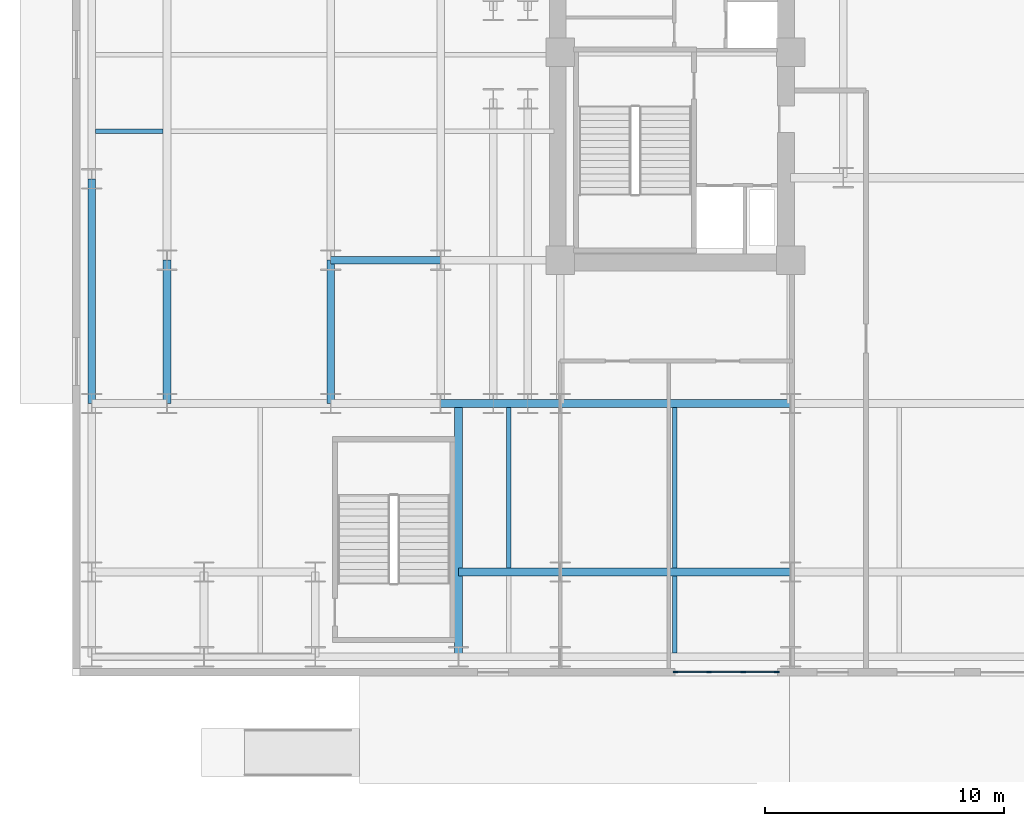
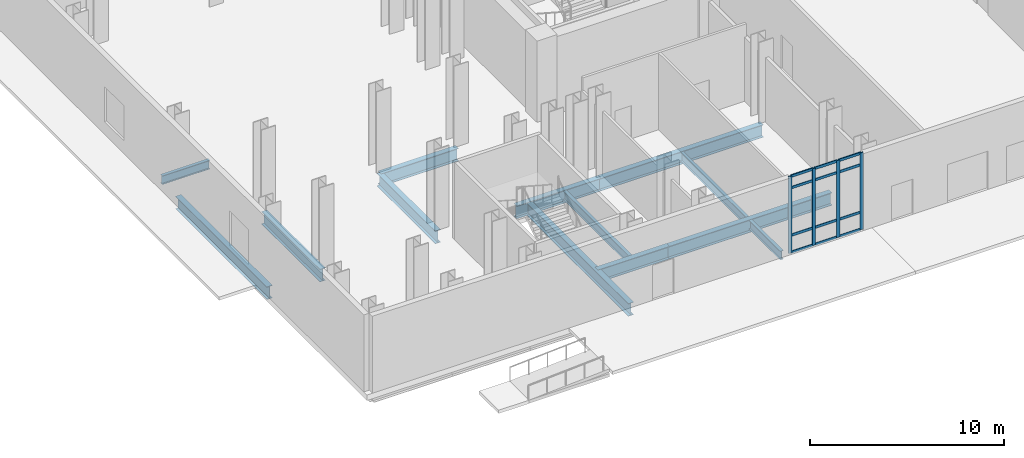
# One storey, part 2 of 21: 16 members, 13 beams, 1 element without a shape of its own.
"""IFC4 building model written with IfcOpenShell, lengths in metres."""

from ifc_helpers import new_model, si_unit, direction, frame, origin, origin_2d, place, context, subcontext, project, spatial, rectangle, i_section, extrude, material, layer, layer_set, material_profile, profile_set, type_object, element, aggregate, save


model = new_model("IFC4")

# Units and contexts
model_context = context("Model", 3, precision=1e-05, world=origin(), true_north=direction((0.0, 1.0)))
body_context = subcontext(model_context, "Body", "Model", "MODEL_VIEW")
ifc_project = project(units=[si_unit("LENGTHUNIT", "METRE"), si_unit("AREAUNIT", "SQUARE_METRE"), si_unit("VOLUMEUNIT", "CUBIC_METRE"), si_unit("PLANEANGLEUNIT", "RADIAN"), si_unit("MASSUNIT", "GRAM", prefix="KILO")], contexts=[model_context])

# Site, building, storey
site_placement = place(None, origin())
site = spatial("IfcSite", under=ifc_project, at=site_placement, CompositionType="ELEMENT")
building_placement = place(site_placement, origin())
building = spatial("IfcBuilding", under=site, at=building_placement, Name="Velakula Bourse", CompositionType="ELEMENT")
storey_placement = place(building_placement, origin())
storey = spatial("IfcBuildingStorey", under=building, at=storey_placement, Name="L00", CompositionType="ELEMENT", Elevation=0.0)

# Beams
ifc_material_1 = material(Name="Steel IS 2062 Grade 350 (E350)", Category="steel")
ifc_material_profile_1 = material_profile(ifc_material_1, i_section(OverallWidth=0.320068359375, OverallDepth=0.800048828125, WebThickness=0.01806640625, FlangeThickness=0.028076171875, at=origin_2d()), Name="Steel IS 2062 Grade 350 (E350)")
ifc_profile_set_1 = profile_set([ifc_material_profile_1], Name="Steel IS 2062 Grade 350 (E350)")
beam_type_1 = type_object("IfcBeamType", Name="BM-POD-800", PredefinedType="BEAM", material=ifc_profile_set_1)
beam_1_placement = place(storey_placement, frame((-18.60009765625, -14.60009765625, -0.75), z_axis=(1.0, 0.0, 0.0), x_axis=(0.0, 1.0, 0.0)))
element("IfcBeam", 1, at=beam_1_placement, inside=storey, type_object=beam_type_1, Name="L00 Fulcrum Grid Girder FLC-S1", PredefinedType="BEAM", context=body_context, shape_type="SweptSolid", body=[
    extrude(i_section(OverallWidth=0.320068359375, OverallDepth=0.800048828125, WebThickness=0.01806640625, FlangeThickness=0.028076171875, at=origin_2d()), origin(), (0.0, 0.0, 1.0), 9.650146484375),
])
beam_2_placement = place(storey_placement, frame((-23.60009765625, -14.60009765625, -0.75), z_axis=(1.0, 0.0, 0.0), x_axis=(0.0, 1.0, 0.0)))
element("IfcBeam", 2, at=beam_2_placement, inside=storey, type_object=beam_type_1, Name="L00 Fulcrum Grid Girder MWG-WS1", PredefinedType="BEAM", context=body_context, shape_type="SweptSolid", body=[
    extrude(i_section(OverallWidth=0.320068359375, OverallDepth=0.800048828125, WebThickness=0.01806640625, FlangeThickness=0.028076171875, at=origin_2d()), origin(), (0.0, 0.0, 1.0), 5.0),
])
beam_3_placement = place(storey_placement, frame((-28.199951171875, -8.60009765625, -0.75), z_axis=(1.0, 0.0, 0.0), x_axis=(0.0, 1.0, 0.0)))
element("IfcBeam", 3, at=beam_3_placement, inside=storey, type_object=beam_type_1, Name="L00 Fulcrum Grid Girder WNG-WS2", PredefinedType="BEAM", context=body_context, shape_type="SweptSolid", body=[
    extrude(i_section(OverallWidth=0.320068359375, OverallDepth=0.800048828125, WebThickness=0.01806640625, FlangeThickness=0.028076171875, at=origin_2d()), origin(), (0.0, 0.0, 1.0), 4.599853515625),
])
beam_4_placement = place(storey_placement, frame((-28.199951171875, -14.60009765625, -0.75), z_axis=(0.0, 1.0, 0.0), x_axis=(-1.0, 0.0, 0.0)))
element("IfcBeam", 4, at=beam_4_placement, inside=storey, type_object=beam_type_1, Name="L00 Fulcrum Grid Girder WNG-WNS1", PredefinedType="BEAM", context=body_context, shape_type="SweptSolid", body=[
    extrude(i_section(OverallWidth=0.320068359375, OverallDepth=0.800048828125, WebThickness=0.01806640625, FlangeThickness=0.028076171875, at=origin_2d()), origin(), (0.0, 0.0, 1.0), 6.0),
])
beam_5_placement = place(storey_placement, frame((-22.85009765625, -25.199951171875, -0.75), z_axis=(0.0, 1.0, 0.0), x_axis=(-1.0, 0.0, 0.0)))
element("IfcBeam", 5, at=beam_5_placement, inside=storey, type_object=beam_type_1, Name="L00 Podium Stairwell Header Girder STW", PredefinedType="BEAM", context=body_context, shape_type="SweptSolid", body=[
    extrude(i_section(OverallWidth=0.320068359375, OverallDepth=0.800048828125, WebThickness=0.01806640625, FlangeThickness=0.028076171875, at=origin_2d()), origin(), (0.0, 0.0, 1.0), 10.599853515625),
])
beam_6_placement = place(storey_placement, frame((-22.85009765625, -21.64990234375, -0.75), z_axis=(1.0, 0.0, 0.0), x_axis=(0.0, 1.0, 0.0)))
element("IfcBeam", 6, at=beam_6_placement, inside=storey, type_object=beam_type_1, Name="L00 Podium E-W Girder 14", PredefinedType="BEAM", context=body_context, shape_type="SweptSolid", body=[
    extrude(i_section(OverallWidth=0.320068359375, OverallDepth=0.800048828125, WebThickness=0.01806640625, FlangeThickness=0.028076171875, at=origin_2d()), origin(), (0.0, 0.0, 1.0), 4.25),
])
beam_7_placement = place(storey_placement, frame((-18.60009765625, -21.64990234375, -0.75), z_axis=(1.0, 0.0, 0.0), x_axis=(0.0, 1.0, 0.0)))
element("IfcBeam", 7, at=beam_7_placement, inside=storey, type_object=beam_type_1, Name="L00 Podium E-W Girder 15", PredefinedType="BEAM", context=body_context, shape_type="SweptSolid", body=[
    extrude(i_section(OverallWidth=0.320068359375, OverallDepth=0.800048828125, WebThickness=0.01806640625, FlangeThickness=0.028076171875, at=origin_2d()), origin(), (0.0, 0.0, 1.0), 9.650146484375),
])
beam_8_placement = place(storey_placement, frame((-38.199951171875, -14.60009765625, -0.75), z_axis=(0.0, 1.0, 0.0), x_axis=(-1.0, 0.0, 0.0)))
element("IfcBeam", 8, at=beam_8_placement, inside=storey, type_object=beam_type_1, Name="L00 Podium N-S Girder 67", PredefinedType="BEAM", context=body_context, shape_type="SweptSolid", body=[
    extrude(i_section(OverallWidth=0.320068359375, OverallDepth=0.800048828125, WebThickness=0.01806640625, FlangeThickness=0.028076171875, at=origin_2d()), origin(), (0.0, 0.0, 1.0), 9.400146484375),
])
beam_9_placement = place(storey_placement, frame((-35.050048828125, -14.60009765625, -0.75), z_axis=(0.0, 1.0, 0.0), x_axis=(-1.0, 0.0, 0.0)))
element("IfcBeam", 9, at=beam_9_placement, inside=storey, type_object=beam_type_1, Name="L00 Podium N-S Girder 72", PredefinedType="BEAM", context=body_context, shape_type="SweptSolid", body=[
    extrude(i_section(OverallWidth=0.320068359375, OverallDepth=0.800048828125, WebThickness=0.01806640625, FlangeThickness=0.028076171875, at=origin_2d()), origin(), (0.0, 0.0, 1.0), 6.0),
])
ifc_material_profile_2 = material_profile(ifc_material_1, i_section(OverallWidth=0.18994140625, OverallDepth=0.550048828125, WebThickness=0.01123046875, FlangeThickness=0.019287109375, at=origin_2d()), Name="Steel IS 2062 Grade 350 (E350)")
ifc_profile_set_2 = profile_set([ifc_material_profile_2], Name="Steel IS 2062 Grade 350 (E350)")
beam_type_2 = type_object("IfcBeamType", Name="JST-POD-550", PredefinedType="JOIST", material=ifc_profile_set_2)
beam_10_placement = place(storey_placement, frame((-20.75, -21.489990234375, -0.625), z_axis=(0.0, 1.0, 0.0), x_axis=(-1.0, 0.0, 0.0)))
element("IfcBeam", 10, at=beam_10_placement, inside=storey, type_object=beam_type_2, Name="L00 Station Podium Floor Joist 06", PredefinedType="JOIST", context=body_context, shape_type="SweptSolid", body=[
    extrude(i_section(OverallWidth=0.18994140625, OverallDepth=0.550048828125, WebThickness=0.01123046875, FlangeThickness=0.019287109375, at=origin_2d()), origin(), (0.0, 0.0, 1.0), 6.72998046875),
])
beam_11_placement = place(storey_placement, frame((-13.800048828125, -25.0400390625, -0.625), z_axis=(0.0, 1.0, 0.0), x_axis=(-1.0, 0.0, 0.0)))
element("IfcBeam", 11, at=beam_11_placement, inside=storey, type_object=beam_type_2, Name="L00 Station Podium Floor Joist 09", PredefinedType="JOIST", context=body_context, shape_type="SweptSolid", body=[
    extrude(i_section(OverallWidth=0.18994140625, OverallDepth=0.550048828125, WebThickness=0.01123046875, FlangeThickness=0.019287109375, at=origin_2d()), origin(), (0.0, 0.0, 1.0), 3.22998046875),
])
beam_12_placement = place(storey_placement, frame((-13.800048828125, -21.489990234375, -0.625), z_axis=(0.0, 1.0, 0.0), x_axis=(-1.0, 0.0, 0.0)))
element("IfcBeam", 12, at=beam_12_placement, inside=storey, type_object=beam_type_2, Name="L00 Station Podium Floor Joist 10", PredefinedType="JOIST", context=body_context, shape_type="SweptSolid", body=[
    extrude(i_section(OverallWidth=0.18994140625, OverallDepth=0.550048828125, WebThickness=0.01123046875, FlangeThickness=0.019287109375, at=origin_2d()), origin(), (0.0, 0.0, 1.0), 6.72998046875),
])
beam_13_placement = place(storey_placement, frame((-38.0400390625, -3.199951171875, -0.625), z_axis=(1.0, 0.0, 0.0), x_axis=(0.0, 1.0, 0.0)))
element("IfcBeam", 13, at=beam_13_placement, inside=storey, type_object=beam_type_2, Name="L00 Station Wing Floor Joist 33", PredefinedType="JOIST", context=body_context, shape_type="SweptSolid", body=[
    extrude(i_section(OverallWidth=0.18994140625, OverallDepth=0.550048828125, WebThickness=0.01123046875, FlangeThickness=0.019287109375, at=origin_2d()), origin(), (0.0, 0.0, 1.0), 2.830078125),
])

# Curtain wall, members
ifc_material_2 = material(Name="Anodised bronze architectural aluminium", Category="aluminium")
ifc_layer = layer(ifc_material_2, 0.199951171875, Name="Anodised bronze architectural aluminium", Category="aluminium")
ifc_layer_set = layer_set([ifc_layer], Name="Anodised bronze architectural aluminium")
curtain_wall_type = type_object("IfcCurtainWallType", Name="CW-ST1", PredefinedType="NOTDEFINED", material=ifc_layer_set)
curtain_wall_placement = place(storey_placement, origin())
curtain_wall = element("IfcCurtainWall", 14, at=curtain_wall_placement, inside=storey, type_object=curtain_wall_type, Name="L00 South Station Galleria Curtain Wall 4", PredefinedType="NOTDEFINED")
ifc_material_profile_3 = material_profile(ifc_material_2, rectangle(XDim=0.06005859375, YDim=0.199951171875, at=origin_2d()), Name="Anodised bronze architectural aluminium")
ifc_profile_set_3 = profile_set([ifc_material_profile_3], Name="Anodised bronze architectural aluminium")
member_type_1 = type_object("IfcMemberType", Name="MUL-CW-ST1", PredefinedType="MULLION", material=ifc_profile_set_3)
member_1_placement = place(storey_placement, frame((-9.530029296875, -25.840087890625, 0.0), z_axis=(0.0, 0.0, 1.0), x_axis=(0.0, -1.0, 0.0)))
member_1 = element("IfcMember", 15, at=member_1_placement, type_object=member_type_1, Name="CW-ST1 mullion 1", PredefinedType="MULLION", context=body_context, shape_type="SweptSolid", body=[
    extrude(rectangle(XDim=0.06005859375, YDim=0.199951171875, at=origin_2d()), origin(), (0.0, 0.0, 1.0), 4.830078125),
])
member_2_placement = place(storey_placement, frame((-10.933349609375, -25.840087890625, 0.0), z_axis=(0.0, 0.0, 1.0), x_axis=(0.0, -1.0, 0.0)))
member_2 = element("IfcMember", 16, at=member_2_placement, type_object=member_type_1, Name="CW-ST1 mullion 2", PredefinedType="MULLION", context=body_context, shape_type="SweptSolid", body=[
    extrude(rectangle(XDim=0.06005859375, YDim=0.199951171875, at=origin_2d()), origin(), (0.0, 0.0, 1.0), 4.830078125),
])
member_3_placement = place(storey_placement, frame((-12.36669921875, -25.840087890625, 0.0), z_axis=(0.0, 0.0, 1.0), x_axis=(0.0, -1.0, 0.0)))
member_3 = element("IfcMember", 17, at=member_3_placement, type_object=member_type_1, Name="CW-ST1 mullion 3", PredefinedType="MULLION", context=body_context, shape_type="SweptSolid", body=[
    extrude(rectangle(XDim=0.06005859375, YDim=0.199951171875, at=origin_2d()), origin(), (0.0, 0.0, 1.0), 4.830078125),
])
member_4_placement = place(storey_placement, frame((-13.77001953125, -25.840087890625, 0.0), z_axis=(0.0, 0.0, 1.0), x_axis=(0.0, -1.0, 0.0)))
member_4 = element("IfcMember", 18, at=member_4_placement, type_object=member_type_1, Name="CW-ST1 mullion 4", PredefinedType="MULLION", context=body_context, shape_type="SweptSolid", body=[
    extrude(rectangle(XDim=0.06005859375, YDim=0.199951171875, at=origin_2d()), origin(), (0.0, 0.0, 1.0), 4.830078125),
])
ifc_material_profile_4 = material_profile(ifc_material_2, rectangle(XDim=0.06005859375, YDim=0.159912109375, at=origin_2d()), Name="Anodised bronze architectural aluminium")
ifc_profile_set_4 = profile_set([ifc_material_profile_4], Name="Anodised bronze architectural aluminium")
member_type_2 = type_object("IfcMemberType", Name="TRN-CW-ST1", PredefinedType="USERDEFINED", material=ifc_profile_set_4)
member_5_placement = place(storey_placement, frame((-9.56005859375, -25.840087890625, 0.030029296875), z_axis=(-1.0, 0.0, 0.0), x_axis=(0.0, -1.0, 0.0)))
member_5 = element("IfcMember", 19, at=member_5_placement, type_object=member_type_2, Name="CW-ST1 transom 1.1", ObjectType="TRANSOM", PredefinedType="USERDEFINED", context=body_context, shape_type="SweptSolid", body=[
    extrude(rectangle(XDim=0.06005859375, YDim=0.159912109375, at=origin_2d()), origin(), (0.0, 0.0, 1.0), 1.34326171875),
])
member_6_placement = place(storey_placement, frame((-9.56005859375, -25.840087890625, 1.10009765625), z_axis=(-1.0, 0.0, 0.0), x_axis=(0.0, -1.0, 0.0)))
member_6 = element("IfcMember", 20, at=member_6_placement, type_object=member_type_2, Name="CW-ST1 transom 1.2", ObjectType="TRANSOM", PredefinedType="USERDEFINED", context=body_context, shape_type="SweptSolid", body=[
    extrude(rectangle(XDim=0.06005859375, YDim=0.159912109375, at=origin_2d()), origin(), (0.0, 0.0, 1.0), 1.34326171875),
])
member_7_placement = place(storey_placement, frame((-9.56005859375, -25.840087890625, 4.080078125), z_axis=(-1.0, 0.0, 0.0), x_axis=(0.0, -1.0, 0.0)))
member_7 = element("IfcMember", 21, at=member_7_placement, type_object=member_type_2, Name="CW-ST1 transom 1.3", ObjectType="TRANSOM", PredefinedType="USERDEFINED", context=body_context, shape_type="SweptSolid", body=[
    extrude(rectangle(XDim=0.06005859375, YDim=0.159912109375, at=origin_2d()), origin(), (0.0, 0.0, 1.0), 1.34326171875),
])
member_8_placement = place(storey_placement, frame((-9.56005859375, -25.840087890625, 4.800048828125), z_axis=(-1.0, 0.0, 0.0), x_axis=(0.0, -1.0, 0.0)))
member_8 = element("IfcMember", 22, at=member_8_placement, type_object=member_type_2, Name="CW-ST1 transom 1.4", ObjectType="TRANSOM", PredefinedType="USERDEFINED", context=body_context, shape_type="SweptSolid", body=[
    extrude(rectangle(XDim=0.06005859375, YDim=0.159912109375, at=origin_2d()), origin(), (0.0, 0.0, 1.0), 1.34326171875),
])
member_9_placement = place(storey_placement, frame((-10.96337890625, -25.840087890625, 0.030029296875), z_axis=(-1.0, 0.0, 0.0), x_axis=(0.0, -1.0, 0.0)))
member_9 = element("IfcMember", 23, at=member_9_placement, type_object=member_type_2, Name="CW-ST1 transom 2.1", ObjectType="TRANSOM", PredefinedType="USERDEFINED", context=body_context, shape_type="SweptSolid", body=[
    extrude(rectangle(XDim=0.06005859375, YDim=0.159912109375, at=origin_2d()), origin(), (0.0, 0.0, 1.0), 1.373291015625),
])
member_10_placement = place(storey_placement, frame((-10.96337890625, -25.840087890625, 1.10009765625), z_axis=(-1.0, 0.0, 0.0), x_axis=(0.0, -1.0, 0.0)))
member_10 = element("IfcMember", 24, at=member_10_placement, type_object=member_type_2, Name="CW-ST1 transom 2.2", ObjectType="TRANSOM", PredefinedType="USERDEFINED", context=body_context, shape_type="SweptSolid", body=[
    extrude(rectangle(XDim=0.06005859375, YDim=0.159912109375, at=origin_2d()), origin(), (0.0, 0.0, 1.0), 1.373291015625),
])
member_11_placement = place(storey_placement, frame((-10.96337890625, -25.840087890625, 4.080078125), z_axis=(-1.0, 0.0, 0.0), x_axis=(0.0, -1.0, 0.0)))
member_11 = element("IfcMember", 25, at=member_11_placement, type_object=member_type_2, Name="CW-ST1 transom 2.3", ObjectType="TRANSOM", PredefinedType="USERDEFINED", context=body_context, shape_type="SweptSolid", body=[
    extrude(rectangle(XDim=0.06005859375, YDim=0.159912109375, at=origin_2d()), origin(), (0.0, 0.0, 1.0), 1.373291015625),
])
member_12_placement = place(storey_placement, frame((-10.96337890625, -25.840087890625, 4.800048828125), z_axis=(-1.0, 0.0, 0.0), x_axis=(0.0, -1.0, 0.0)))
member_12 = element("IfcMember", 26, at=member_12_placement, type_object=member_type_2, Name="CW-ST1 transom 2.4", ObjectType="TRANSOM", PredefinedType="USERDEFINED", context=body_context, shape_type="SweptSolid", body=[
    extrude(rectangle(XDim=0.06005859375, YDim=0.159912109375, at=origin_2d()), origin(), (0.0, 0.0, 1.0), 1.373291015625),
])
member_13_placement = place(storey_placement, frame((-12.396728515625, -25.840087890625, 0.030029296875), z_axis=(-1.0, 0.0, 0.0), x_axis=(0.0, -1.0, 0.0)))
member_13 = element("IfcMember", 27, at=member_13_placement, type_object=member_type_2, Name="CW-ST1 transom 3.1", ObjectType="TRANSOM", PredefinedType="USERDEFINED", context=body_context, shape_type="SweptSolid", body=[
    extrude(rectangle(XDim=0.06005859375, YDim=0.159912109375, at=origin_2d()), origin(), (0.0, 0.0, 1.0), 1.34326171875),
])
member_14_placement = place(storey_placement, frame((-12.396728515625, -25.840087890625, 1.10009765625), z_axis=(-1.0, 0.0, 0.0), x_axis=(0.0, -1.0, 0.0)))
member_14 = element("IfcMember", 28, at=member_14_placement, type_object=member_type_2, Name="CW-ST1 transom 3.2", ObjectType="TRANSOM", PredefinedType="USERDEFINED", context=body_context, shape_type="SweptSolid", body=[
    extrude(rectangle(XDim=0.06005859375, YDim=0.159912109375, at=origin_2d()), origin(), (0.0, 0.0, 1.0), 1.34326171875),
])
member_15_placement = place(storey_placement, frame((-12.396728515625, -25.840087890625, 4.080078125), z_axis=(-1.0, 0.0, 0.0), x_axis=(0.0, -1.0, 0.0)))
member_15 = element("IfcMember", 29, at=member_15_placement, type_object=member_type_2, Name="CW-ST1 transom 3.3", ObjectType="TRANSOM", PredefinedType="USERDEFINED", context=body_context, shape_type="SweptSolid", body=[
    extrude(rectangle(XDim=0.06005859375, YDim=0.159912109375, at=origin_2d()), origin(), (0.0, 0.0, 1.0), 1.34326171875),
])
member_16_placement = place(storey_placement, frame((-12.396728515625, -25.840087890625, 4.800048828125), z_axis=(-1.0, 0.0, 0.0), x_axis=(0.0, -1.0, 0.0)))
member_16 = element("IfcMember", 30, at=member_16_placement, type_object=member_type_2, Name="CW-ST1 transom 3.4", ObjectType="TRANSOM", PredefinedType="USERDEFINED", context=body_context, shape_type="SweptSolid", body=[
    extrude(rectangle(XDim=0.06005859375, YDim=0.159912109375, at=origin_2d()), origin(), (0.0, 0.0, 1.0), 1.34326171875),
])
aggregate(curtain_wall, [member_1, member_2, member_3, member_4, member_5, member_6, member_7, member_8, member_9, member_10, member_11, member_12, member_13, member_14, member_15, member_16])

save(model, "model.ifc")
